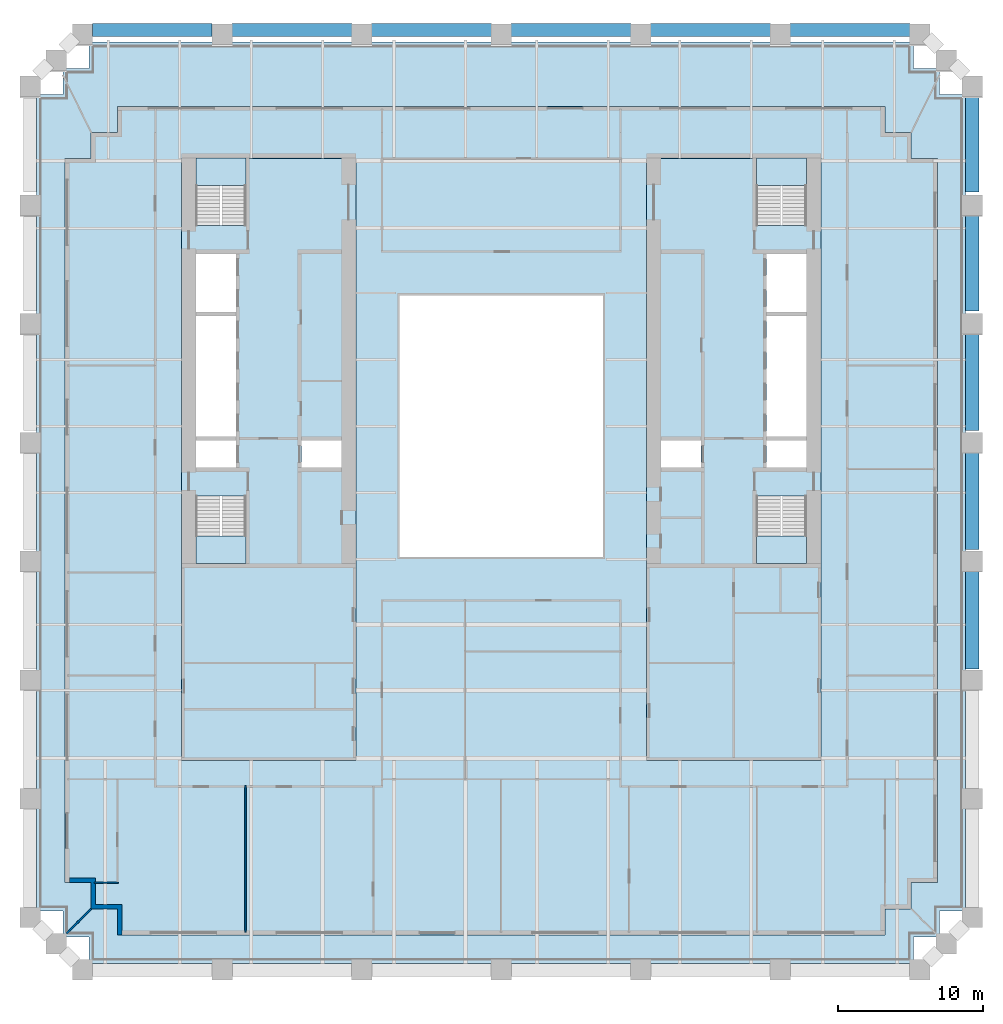
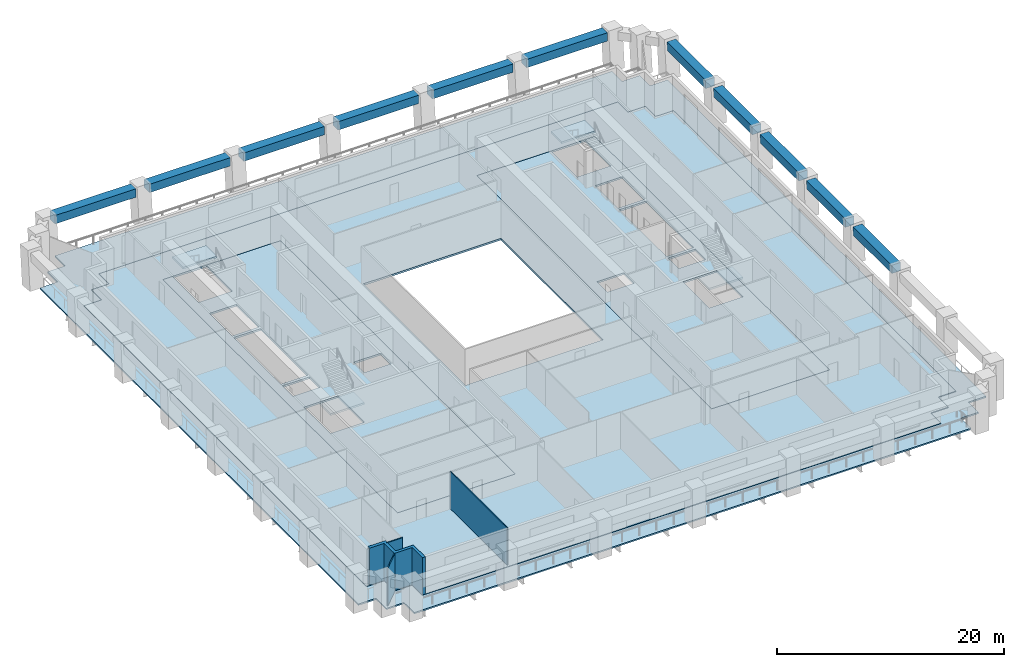
# One storey, part 2 of 9: 11 beams, 8 slabs, 4 walls, 4 elements without a shape of their own.
"""IFC4 building model written with IfcOpenShell, lengths in metres."""

from ifc_helpers import new_model, si_unit, direction, frame, frame_2d, origin, origin_2d, place, context, subcontext, project, spatial, polyline, rectangle, outline, extrude, material, layer, layer_set, material_profile, profile_set, type_object, element, aggregate, save


model = new_model("IFC4")

# Units and contexts
model_context = context("Model", 3, precision=1e-05, world=origin(), true_north=direction((0.0, 1.0)))
body_context = subcontext(model_context, "Body", "Model", "MODEL_VIEW")
ifc_project = project(units=[si_unit("LENGTHUNIT", "METRE"), si_unit("AREAUNIT", "SQUARE_METRE"), si_unit("VOLUMEUNIT", "CUBIC_METRE"), si_unit("PLANEANGLEUNIT", "RADIAN"), si_unit("MASSUNIT", "GRAM", prefix="KILO")], contexts=[model_context])

# Site, building, storey
site_placement = place(None, origin())
site = spatial("IfcSite", under=ifc_project, at=site_placement, CompositionType="ELEMENT")
building_placement = place(site_placement, origin())
building = spatial("IfcBuilding", under=site, at=building_placement, Name="Ogive Exchange Tower", CompositionType="ELEMENT")
storey_placement = place(building_placement, frame((0.0, 0.0, 60.60009765625)))
storey = spatial("IfcBuildingStorey", under=building, at=storey_placement, Name="L12", CompositionType="ELEMENT", Elevation=60.60009765625)

# Beams
ifc_material_1 = material(Name="Precast concrete C70/85 (limestone faced)", Category="masonry")
ifc_material_profile = material_profile(ifc_material_1, rectangle(XDim=0.89990234375, YDim=0.89990234375, at=origin_2d()), Name="900 x 900")
ifc_profile_set = profile_set([ifc_material_profile], Name="Precast concrete C70/85 (limestone faced)")
beam_type = type_object("IfcBeamType", Name="Precast spandrel 900 x 900 C70/85", PredefinedType="SPANDREL", material=ifc_profile_set)
for number, where, z_axis, x_axis, name in (
    (1, (32.39990234375, -9.709716796875, 3.5), (0.0, 1.0, 0.0), (-1.0, 0.0, 0.0), "Spandrel 11"),
    (2, (32.39990234375, -1.50439453125, 3.5), (0.0, 1.0, 0.0), (-1.0, 0.0, 0.0), "Spandrel 12"),
    (3, (32.39990234375, 6.70068359375, 3.5), (0.0, 1.0, 0.0), (-1.0, 0.0, 0.0), "Spandrel 13"),
    (4, (32.39990234375, 14.906005859375, 3.5), (0.0, 1.0, 0.0), (-1.0, 0.0, 0.0), "Spandrel 14"),
    (5, (32.39990234375, 23.111083984375, 3.5), (0.0, 1.0, 0.0), (-1.0, 0.0, 0.0), "Spandrel 15"),
):
    element("IfcBeam", number, at=place(storey_placement, frame(where, z_axis=z_axis, x_axis=x_axis)), inside=storey, type_object=beam_type, Name=name, PredefinedType="SPANDREL", context=body_context, shape_type="SweptSolid", body=[
        extrude(rectangle(XDim=0.89990234375, YDim=0.89990234375, at=origin_2d()), origin(), (0.0, 0.0, 1.0), 6.84521484375),
    ])
beam_1_placement = place(storey_placement, frame((28.1201171875, 34.236328125, 3.5), z_axis=(-1.0, 0.0, 0.0), x_axis=(0.0, -1.0, 0.0)))
element("IfcBeam", 6, at=beam_1_placement, inside=storey, type_object=beam_type, Name="Spandrel 18", PredefinedType="SPANDREL", context=body_context, shape_type="SweptSolid", body=[
    extrude(rectangle(XDim=0.89990234375, YDim=0.89990234375, at=origin_2d()), origin(), (0.0, 0.0, 1.0), 8.240234375),
])
for number, where, z_axis, x_axis, name in (
    (7, (18.52001953125, 34.236328125, 3.5), (-1.0, 0.0, 0.0), (0.0, -1.0, 0.0), "Spandrel 19"),
    (8, (8.919921875, 34.236328125, 3.5), (-1.0, 0.0, 0.0), (0.0, -1.0, 0.0), "Spandrel 20"),
    (9, (-0.679931640625, 34.236328125, 3.5), (-1.0, 0.0, 0.0), (0.0, -1.0, 0.0), "Spandrel 21"),
    (10, (-10.280029296875, 34.236328125, 3.5), (-1.0, 0.0, 0.0), (0.0, -1.0, 0.0), "Spandrel 22"),
):
    element("IfcBeam", number, at=place(storey_placement, frame(where, z_axis=z_axis, x_axis=x_axis)), inside=storey, type_object=beam_type, Name=name, PredefinedType="SPANDREL", context=body_context, shape_type="SweptSolid", body=[
        extrude(rectangle(XDim=0.89990234375, YDim=0.89990234375, at=origin_2d()), origin(), (0.0, 0.0, 1.0), 8.239990234375),
    ])
beam_2_placement = place(storey_placement, frame((-19.8798828125, 34.236328125, 3.5), z_axis=(-1.0, 0.0, 0.0), x_axis=(0.0, -1.0, 0.0)))
element("IfcBeam", 11, at=beam_2_placement, inside=storey, type_object=beam_type, Name="Spandrel 23", PredefinedType="SPANDREL", context=body_context, shape_type="SweptSolid", body=[
    extrude(rectangle(XDim=0.89990234375, YDim=0.89990234375, at=origin_2d()), origin(), (0.0, 0.0, 1.0), 8.240234375),
])

# Slabs
ifc_material_2 = material(Name="Concrete C50/60", Category="concrete")
ifc_layer_1 = layer(ifc_material_2, 0.199951171875)
ifc_layer_set_1 = layer_set([ifc_layer_1], Name="Composite floor slab 200")
slab_type_1 = type_object("IfcSlabType", Name="Composite floor slab 200", PredefinedType="FLOOR", material=ifc_layer_set_1)
slab_1_placement = place(storey_placement, frame((0.0, 0.0, -0.2001953125)))
element("IfcSlab", 12, at=slab_1_placement, inside=storey, type_object=slab_type_1, Name="Composite floor slab", PredefinedType="FLOOR", context=body_context, shape_type="SweptSolid", body=[
    extrude(outline(polyline([(-26.39990234375, -26.199951171875), (-28.199951171875, -26.199951171875), (-28.199951171875, -24.39990234375), (-30.0, -24.39990234375), (-30.0, 25.39990234375), (-28.199951171875, 25.39990234375), (-28.199951171875, 27.199951171875), (-26.39990234375, 27.199951171875), (-26.39990234375, 29.0), (26.39990234375, 29.0), (26.39990234375, 27.199951171875), (28.199951171875, 27.199951171875), (28.199951171875, 25.39990234375), (30.0, 25.39990234375), (30.0, -24.39990234375), (28.199951171875, -24.39990234375), (28.199951171875, -26.199951171875), (26.39990234375, -26.199951171875), (26.39990234375, -28.0), (-26.39990234375, -28.0), (-26.39990234375, -26.199951171875)]), holes=[polyline([(-10.0, -16.0), (-10.0, 25.39990234375), (-22.0, 25.39990234375), (-22.0, -16.0), (-10.0, -16.0)]), polyline([(10.0, -16.0), (22.0, -16.0), (22.0, 25.39990234375), (10.0, 25.39990234375), (10.0, -16.0)]), polyline([(-7.0, -2.0), (7.0, -2.0), (7.0, 16.0), (-7.0, 16.0), (-7.0, -2.0)])]), origin(), (0.0, 0.0, 1.0), 0.2001953125),
])
ifc_material_3 = material(Name="Concrete C70/85", Category="concrete")
ifc_layer_2 = layer(ifc_material_3, 0.199951171875)
ifc_layer_set_2 = layer_set([ifc_layer_2], Name="Core floor slab 200")
slab_type_2 = type_object("IfcSlabType", Name="Core floor slab 200", PredefinedType="FLOOR", material=ifc_layer_set_2)
slab_2_placement = place(storey_placement, frame((0.0, 0.0, -0.2001953125)))
element("IfcSlab", 13, at=slab_2_placement, inside=storey, type_object=slab_type_2, Name="Core floor slab", PredefinedType="FLOOR", context=body_context, shape_type="SweptSolid", body=[
    extrude(outline(polyline([(-10.0, 25.39990234375), (-10.0, -16.0), (-22.0, -16.0), (-22.0, 25.39990234375), (-21.0, 25.39990234375), (-21.0, 20.803955078125), (-17.550048828125, 20.803955078125), (-17.550048828125, 25.39990234375), (-10.0, 25.39990234375)]), holes=[polyline([(-17.550048828125, 2.196044921875), (-21.0, 2.196044921875), (-21.0, -2.449951171875), (-17.550048828125, -2.449951171875), (-17.550048828125, 2.196044921875)]), polyline([(-18.25, 5.992919921875), (-21.0, 5.992919921875), (-21.0, 4.14990234375), (-18.25, 4.14990234375), (-18.25, 5.992919921875)]), polyline([(-11.0, 5.992919921875), (-13.75, 5.992919921875), (-13.75, 4.14990234375), (-11.0, 4.14990234375), (-11.0, 5.992919921875)]), polyline([(-21.0, 14.564208984375), (-21.0, 6.29296875), (-18.25, 6.29296875), (-18.25, 14.564208984375), (-21.0, 14.564208984375)]), polyline([(-18.25, 18.85009765625), (-21.0, 18.85009765625), (-21.0, 14.8642578125), (-18.25, 14.8642578125), (-18.25, 18.85009765625)])]), origin(), (0.0, 0.0, 1.0), 0.2001953125),
])
slab_3_placement = place(storey_placement, frame((0.0, 0.0, -0.2001953125)))
element("IfcSlab", 14, at=slab_3_placement, inside=storey, type_object=slab_type_2, Name="Core floor slab", PredefinedType="FLOOR", context=body_context, shape_type="SweptSolid", body=[
    extrude(outline(polyline([(22.0, 25.39990234375), (22.0, -16.0), (10.0, -16.0), (10.0, 25.39990234375), (17.550048828125, 25.39990234375), (17.550048828125, 20.803955078125), (21.0, 20.803955078125), (21.0, 25.39990234375), (22.0, 25.39990234375)]), holes=[polyline([(21.0, 2.196044921875), (17.550048828125, 2.196044921875), (17.550048828125, -2.449951171875), (21.0, -2.449951171875), (21.0, 2.196044921875)]), polyline([(13.75, 5.992919921875), (11.0, 5.992919921875), (11.0, 4.14990234375), (13.75, 4.14990234375), (13.75, 5.992919921875)]), polyline([(21.0, 5.992919921875), (18.25, 5.992919921875), (18.25, 4.14990234375), (21.0, 4.14990234375), (21.0, 5.992919921875)]), polyline([(18.25, 14.564208984375), (18.25, 6.29296875), (21.0, 6.29296875), (21.0, 14.564208984375), (18.25, 14.564208984375)]), polyline([(21.0, 18.85009765625), (18.25, 18.85009765625), (18.25, 14.8642578125), (21.0, 14.8642578125), (21.0, 18.85009765625)])]), origin(), (0.0, 0.0, 1.0), 0.2001953125),
])
ifc_layer_3 = layer(ifc_material_2, 0.14990234375)
ifc_layer_set_3 = layer_set([ifc_layer_3], Name="Loggia deck 150")
slab_type_3 = type_object("IfcSlabType", Name="Loggia deck 150", PredefinedType="FLOOR", material=ifc_layer_set_3)
slab_4_placement = place(storey_placement, frame((0.0, 0.0, -0.2001953125)))
element("IfcSlab", 15, at=slab_4_placement, inside=storey, type_object=slab_type_3, Name="Loggia deck", PredefinedType="FLOOR", context=body_context, shape_type="SweptSolid", body=[
    extrude(outline(polyline([(-28.35009765625, -28.14990234375), (-30.14990234375, -28.14990234375), (-30.14990234375, -26.35009765625), (-31.949951171875, -26.35009765625), (-31.949951171875, 29.804443359375), (-30.14990234375, 29.804443359375), (-30.14990234375, 31.6044921875), (-28.35009765625, 31.6044921875), (-28.35009765625, 33.404541015625), (28.35009765625, 33.404541015625), (28.35009765625, 31.6044921875), (30.14990234375, 31.6044921875), (30.14990234375, 29.804443359375), (31.949951171875, 29.804443359375), (31.949951171875, -26.35009765625), (30.14990234375, -26.35009765625), (30.14990234375, -28.14990234375), (28.35009765625, -28.14990234375), (28.35009765625, -29.949951171875), (-28.35009765625, -29.949951171875), (-28.35009765625, -28.14990234375)]), holes=[polyline([(26.39990234375, -26.199951171875), (28.199951171875, -26.199951171875), (28.199951171875, -24.39990234375), (30.0, -24.39990234375), (30.0, 25.39990234375), (28.199951171875, 25.39990234375), (28.199951171875, 27.199951171875), (26.39990234375, 27.199951171875), (26.39990234375, 29.0), (-26.39990234375, 29.0), (-26.39990234375, 27.199951171875), (-28.199951171875, 27.199951171875), (-28.199951171875, 25.39990234375), (-30.0, 25.39990234375), (-30.0, -24.39990234375), (-28.199951171875, -24.39990234375), (-28.199951171875, -26.199951171875), (-26.39990234375, -26.199951171875), (-26.39990234375, -28.0), (26.39990234375, -28.0), (26.39990234375, -26.199951171875)])]), origin(), (0.0, 0.0, 1.0), 0.150146484375),
])

# Stair, slab
ifc_material_4 = material(Name="Concrete C40/50", Category="concrete")
stair_type = type_object("IfcStairType", Name="Exit stair 1650 wide", PredefinedType="HALF_TURN_STAIR", material=ifc_material_4)
stair_1_placement = place(storey_placement, origin())
stair_1 = element("IfcStair", 16, at=stair_1_placement, inside=storey, type_object=stair_type, Name="L12 exit stair ST1", PredefinedType="HALF_TURN_STAIR")
ifc_layer_4 = layer(ifc_material_4, 0.199951171875)
ifc_layer_set_4 = layer_set([ifc_layer_4], Name="Stair landing 200 slab")
slab_type_4 = type_object("IfcSlabType", Name="Stair landing 200 slab", PredefinedType="LANDING", material=ifc_layer_set_4)
slab_5_placement = place(storey_placement, frame((0.0, 0.0, 1.89990234375)))
slab_5 = element("IfcSlab", 17, at=slab_5_placement, type_object=slab_type_4, Name="ST1 landing 1", PredefinedType="LANDING", context=body_context, shape_type="SweptSolid", body=[
    extrude(outline(polyline([(-21.0, -0.550048828125), (-21.0, -2.449951171875), (-17.550048828125, -2.449951171875), (-17.550048828125, -0.550048828125), (-21.0, -0.550048828125)])), origin(), (0.0, 0.0, 1.0), 0.199951171875),
])
aggregate(stair_1, [slab_5])

stair_2_placement = place(storey_placement, origin())
stair_2 = element("IfcStair", 18, at=stair_2_placement, inside=storey, type_object=stair_type, Name="L12 exit stair ST2", PredefinedType="HALF_TURN_STAIR")
slab_6_placement = place(storey_placement, frame((0.0, 0.0, 1.89990234375)))
slab_6 = element("IfcSlab", 19, at=slab_6_placement, type_object=slab_type_4, Name="ST2 landing 1", PredefinedType="LANDING", context=body_context, shape_type="SweptSolid", body=[
    extrude(outline(polyline([(-17.550048828125, 23.550048828125), (-17.550048828125, 25.449951171875), (-21.0, 25.449951171875), (-21.0, 23.550048828125), (-17.550048828125, 23.550048828125)])), origin(), (0.0, 0.0, 1.0), 0.199951171875),
])
aggregate(stair_2, [slab_6])

stair_3_placement = place(storey_placement, origin())
stair_3 = element("IfcStair", 20, at=stair_3_placement, inside=storey, type_object=stair_type, Name="L12 exit stair ST3", PredefinedType="HALF_TURN_STAIR")
slab_7_placement = place(storey_placement, frame((0.0, 0.0, 1.89990234375)))
slab_7 = element("IfcSlab", 21, at=slab_7_placement, type_object=slab_type_4, Name="ST3 landing 1", PredefinedType="LANDING", context=body_context, shape_type="SweptSolid", body=[
    extrude(outline(polyline([(17.550048828125, -0.550048828125), (17.550048828125, -2.449951171875), (21.0, -2.449951171875), (21.0, -0.550048828125), (17.550048828125, -0.550048828125)])), origin(), (0.0, 0.0, 1.0), 0.199951171875),
])
aggregate(stair_3, [slab_7])

stair_4_placement = place(storey_placement, origin())
stair_4 = element("IfcStair", 22, at=stair_4_placement, inside=storey, type_object=stair_type, Name="L12 exit stair ST4", PredefinedType="HALF_TURN_STAIR")
slab_8_placement = place(storey_placement, frame((0.0, 0.0, 1.89990234375)))
slab_8 = element("IfcSlab", 23, at=slab_8_placement, type_object=slab_type_4, Name="ST4 landing 1", PredefinedType="LANDING", context=body_context, shape_type="SweptSolid", body=[
    extrude(outline(polyline([(21.0, 23.550048828125), (21.0, 25.449951171875), (17.550048828125, 25.449951171875), (17.550048828125, 23.550048828125), (21.0, 23.550048828125)])), origin(), (0.0, 0.0, 1.0), 0.199951171875),
])
aggregate(stair_4, [slab_8])

# Walls
ifc_material_5 = material(Name="Precast concrete C40/50", Category="concrete")
ifc_layer_5 = layer(ifc_material_5, 0.300048828125)
ifc_layer_set_5 = layer_set([ifc_layer_5], Name="Limestone-faced wall 300")
wall_type_1 = type_object("IfcWallType", Name="Limestone-faced wall 300", PredefinedType="STANDARD", material=ifc_layer_set_5)
wall_1_placement = place(storey_placement, origin())
element("IfcWall", 24, at=wall_1_placement, inside=storey, type_object=wall_type_1, Name="External corner wall C4", PredefinedType="STANDARD", context=body_context, shape_type="SweptSolid", body=[
    extrude(outline(polyline([(-26.39990234375, -26.199951171875), (-28.199951171875, -26.199951171875), (-28.199951171875, -24.39990234375), (-29.699951171875, -24.39990234375), (-29.699951171875, -24.10009765625), (-27.89990234375, -24.10009765625), (-27.89990234375, -25.89990234375), (-26.10009765625, -25.89990234375), (-26.10009765625, -28.0), (-26.39990234375, -28.0), (-26.39990234375, -26.199951171875)])), origin(), (0.0, 0.0, 1.0), 4.0),
])
ifc_material_6 = material(Name="Laminated safety glass in steel frame", Category="steel")
ifc_layer_6 = layer(ifc_material_6, 0.10009765625)
ifc_layer_set_6 = layer_set([ifc_layer_6], Name="Loggia end screen 100")
wall_type_2 = type_object("IfcWallType", Name="Loggia end screen 100", PredefinedType="STANDARD", material=ifc_layer_set_6)
wall_2_placement = place(storey_placement, frame((-28.199951171875, -26.199951171875, -0.050048828125), z_axis=(0.0, 0.0, 1.0), x_axis=(-0.707106781187, -0.707106781187, 0.0)))
element("IfcWall", 25, at=wall_2_placement, inside=storey, type_object=wall_type_2, Name="Loggia end screen C4", PredefinedType="STANDARD", context=body_context, shape_type="SweptSolid", body=[
    extrude(rectangle(XDim=2.384521484375, YDim=0.10009765625, at=frame_2d((1.1923828125, 0.0))), origin(), (0.0, 0.0, 1.0), 4.050048828125),
])
ifc_material_7 = material(Name="Partition 100 gypsum")
ifc_layer_7 = layer(ifc_material_7, 0.10009765625)
ifc_layer_set_7 = layer_set([ifc_layer_7], Name="Partition 100 gypsum")
wall_type_3 = type_object("IfcWallType", Name="Partition 100 gypsum", PredefinedType="PARTITIONING", material=ifc_layer_set_7)
wall_3_placement = place(storey_placement, frame((-28.0, -24.409912109375, 0.0), z_axis=(0.0, 0.0, 1.0), x_axis=(1.0, 0.0, 0.0)))
element("IfcWall", 26, at=wall_3_placement, inside=storey, type_object=wall_type_3, Name="L12-PWL-001", PredefinedType="PARTITIONING", context=body_context, shape_type="SweptSolid", body=[
    extrude(rectangle(XDim=1.64990234375, YDim=0.10009765625, at=frame_2d((0.824951171875, 0.0))), origin(), (0.0, 0.0, 1.0), 4.0),
])
wall_4_placement = place(storey_placement, frame((-17.60009765625, -27.800048828125, 0.0), z_axis=(0.0, 0.0, 1.0), x_axis=(0.0, 1.0, 0.0)))
element("IfcWall", 27, at=wall_4_placement, inside=storey, type_object=wall_type_3, Name="L12-PWL-014", PredefinedType="PARTITIONING", context=body_context, shape_type="SweptSolid", body=[
    extrude(rectangle(XDim=10.074951171875, YDim=0.10009765625, at=frame_2d((5.03759765625, 0.0))), origin(), (0.0, 0.0, 1.0), 4.0),
])

save(model, "model.ifc")
